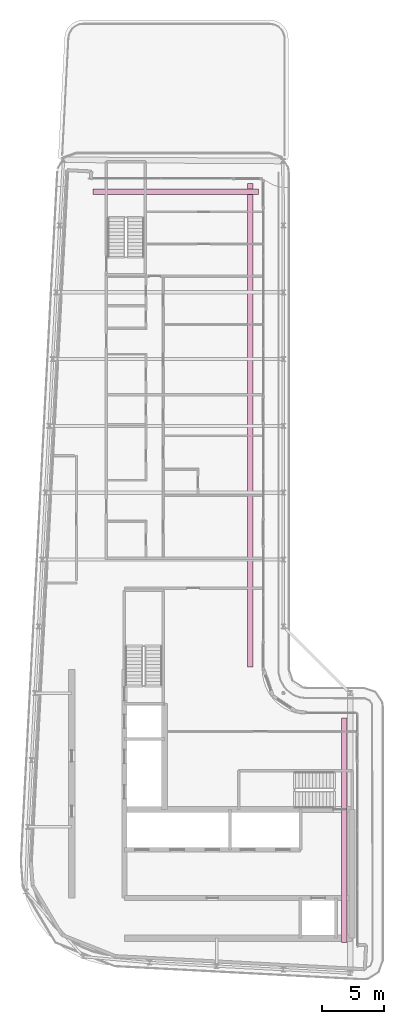
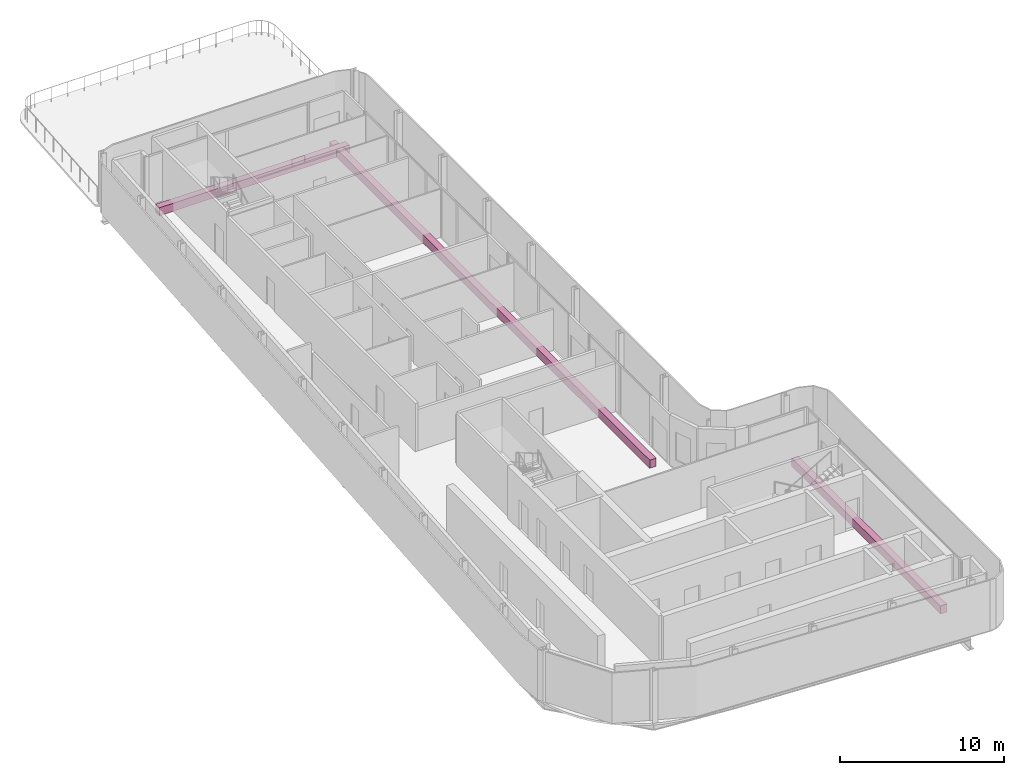
# One storey, part 15 of 15: 3 furniture elements.
"""IFC4 building model written with IfcOpenShell, lengths in metres."""

from ifc_helpers import new_model, si_unit, direction, frame, origin, origin_2d, place, context, subcontext, project, spatial, rectangle, extrude, material, type_object, element, save


model = new_model("IFC4")

# Units and contexts
model_context = context("Model", 3, precision=1e-05, world=origin(), true_north=direction((0.0, 1.0)))
body_context = subcontext(model_context, "Body", "Model", "MODEL_VIEW")
ifc_project = project(units=[si_unit("LENGTHUNIT", "METRE"), si_unit("AREAUNIT", "SQUARE_METRE"), si_unit("VOLUMEUNIT", "CUBIC_METRE"), si_unit("PLANEANGLEUNIT", "RADIAN"), si_unit("MASSUNIT", "GRAM", prefix="KILO")], contexts=[model_context])

# Site, building, storey
site_placement = place(None, origin())
site = spatial("IfcSite", under=ifc_project, at=site_placement, CompositionType="ELEMENT")
building_placement = place(site_placement, origin())
building = spatial("IfcBuilding", under=site, at=building_placement, Name="Kheshtan School and Residences Tower", CompositionType="ELEMENT")
storey_placement = place(building_placement, frame((0.0, 0.0, 338.300048828125)))
storey = spatial("IfcBuildingStorey", under=building, at=storey_placement, Name="L79", CompositionType="ELEMENT", Elevation=338.300048828125)

# Furniture
ifc_material = material(Name="Precast concrete C30/37 in terracotta finish", Category="masonry")
furniture_type = type_object("IfcFurnitureType", Name="Planter trough", AssemblyPlace="NOTDEFINED", PredefinedType="USERDEFINED", material=ifc_material)
furniture_1_placement = place(storey_placement, frame((38.912109375, 86.125, 0.0), z_axis=(0.0, 0.0, 1.0), x_axis=(1.0, 0.0, 0.0)))
element("IfcFurniture", 1, at=furniture_1_placement, inside=storey, type_object=furniture_type, Name="Planter L79", ObjectType="PLANTER", PredefinedType="USERDEFINED", context=body_context, shape_type="SweptSolid", body=[
    extrude(rectangle(XDim=13.3759765625, YDim=0.449951171875, at=origin_2d()), origin(), (0.0, 0.0, 1.0), 0.60009765625),
])
furniture_2_placement = place(storey_placement, frame((44.925048828125, 67.264892578125, 0.0), z_axis=(0.0, 0.0, 1.0), x_axis=(0.0, -1.0, 0.0)))
element("IfcFurniture", 2, at=furniture_2_placement, inside=storey, type_object=furniture_type, Name="Planter L79", ObjectType="PLANTER", PredefinedType="USERDEFINED", context=body_context, shape_type="SweptSolid", body=[
    extrude(rectangle(XDim=39.070068359375, YDim=0.449951171875, at=origin_2d()), origin(), (0.0, 0.0, 1.0), 0.60009765625),
])
furniture_3_placement = place(storey_placement, frame((52.52490234375, 34.528076171875, 0.0), z_axis=(0.0, 0.0, 1.0), x_axis=(0.0, -1.0, 0.0)))
element("IfcFurniture", 3, at=furniture_3_placement, inside=storey, type_object=furniture_type, Name="Planter L79", ObjectType="PLANTER", PredefinedType="USERDEFINED", context=body_context, shape_type="SweptSolid", body=[
    extrude(rectangle(XDim=18.14404296875, YDim=0.449951171875, at=origin_2d()), origin(), (0.0, 0.0, 1.0), 0.60009765625),
])

save(model, "model.ifc")
